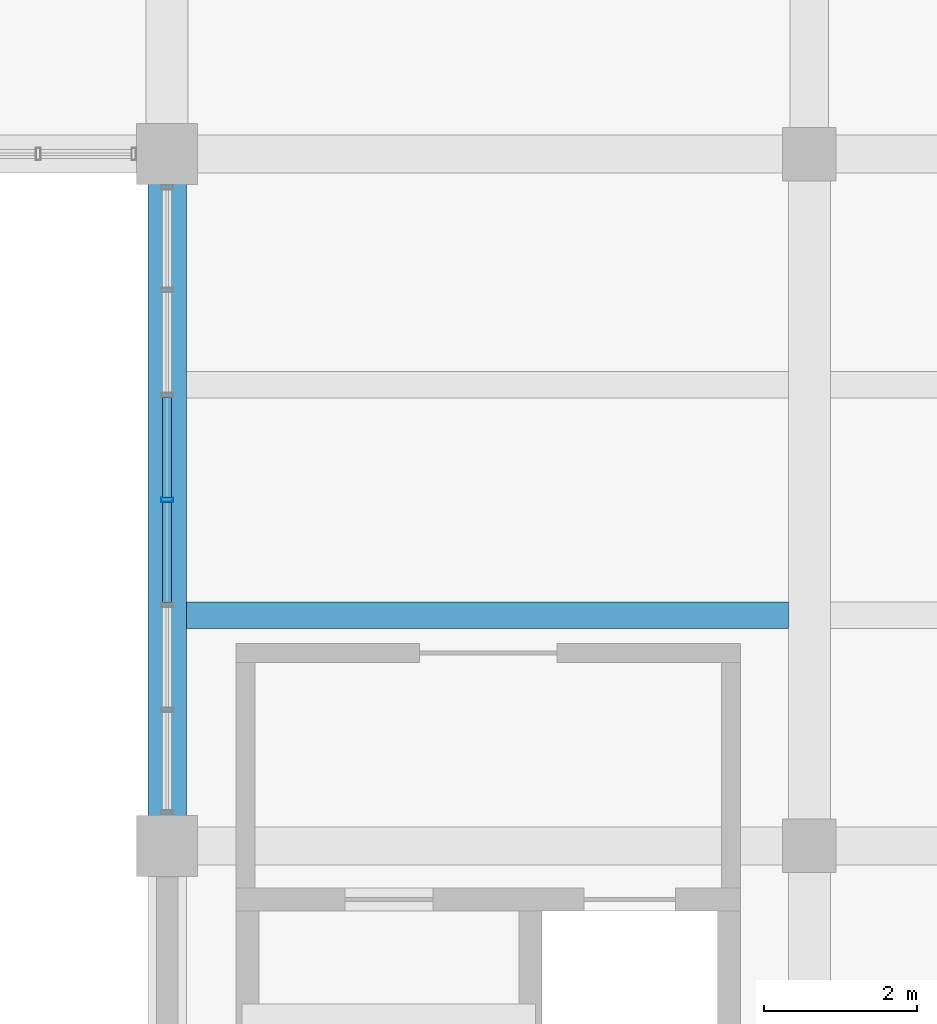
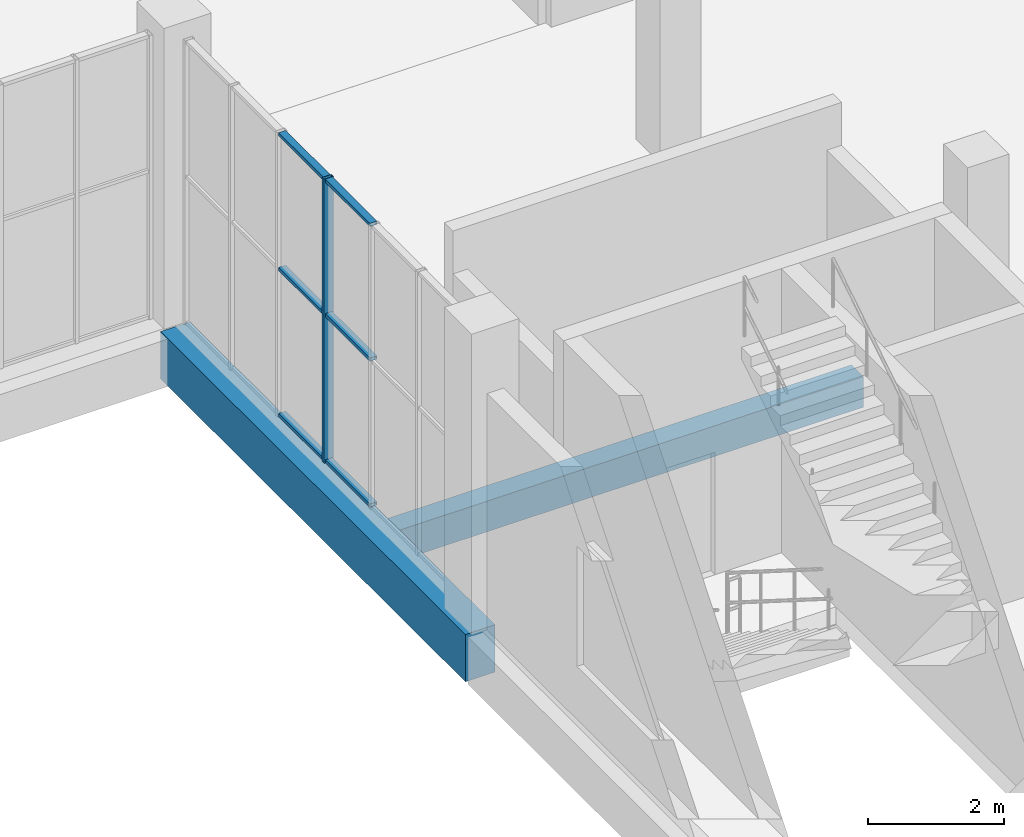
# One storey, part 4 of 132: 7 members, 2 beams, 1 element without a shape of its own.
"""IFC4 building model written with IfcOpenShell, lengths in metres."""

from ifc_helpers import new_model, si_unit, direction, frame, origin, origin_2d, place, context, subcontext, project, spatial, rectangle, hollow_rectangle, extrude, material, material_profile, profile_set, type_object, element, aggregate, save


model = new_model("IFC4")

# Units and contexts
model_context = context("Model", 3, precision=1e-05, world=origin(), true_north=direction((0.0, 1.0)))
body_context = subcontext(model_context, "Body", "Model", "MODEL_VIEW")
ifc_project = project(units=[si_unit("LENGTHUNIT", "METRE"), si_unit("AREAUNIT", "SQUARE_METRE"), si_unit("VOLUMEUNIT", "CUBIC_METRE"), si_unit("PLANEANGLEUNIT", "RADIAN"), si_unit("MASSUNIT", "GRAM", prefix="KILO")], contexts=[model_context])

# Site, building, storey
site_placement = place(None, origin())
site = spatial("IfcSite", under=ifc_project, at=site_placement, CompositionType="ELEMENT")
building_placement = place(site_placement, origin())
building = spatial("IfcBuilding", under=site, at=building_placement, Name="Khurvash Pelagic Aquarium", CompositionType="ELEMENT")
storey_placement = place(building_placement, frame((0.0, 0.0, 5.39990234375)))
storey = spatial("IfcBuildingStorey", under=building, at=storey_placement, Name="L01", CompositionType="ELEMENT", Elevation=5.39990234375)

# Curtain wall, members
ifc_material_1 = material(Name="Anodised aluminium and low-E laminated glass", Category="aluminium")
curtain_wall_type = type_object("IfcCurtainWallType", Name="CW-06", PredefinedType="USERDEFINED", material=ifc_material_1)
curtain_wall_placement = place(storey_placement, origin())
curtain_wall = element("IfcCurtainWall", 1, at=curtain_wall_placement, inside=storey, type_object=curtain_wall_type, Name="L01 Facade Unitised Curtain Wall CW-06 0100", ObjectType="UNITISED CURTAIN WALL", PredefinedType="USERDEFINED")
ifc_material_2 = material(Name="Extruded aluminium AW-6063-T6", Category="aluminium")
ifc_material_profile_1 = material_profile(ifc_material_2, hollow_rectangle(XDim=0.06005859375, YDim=0.159912109375, WallThickness=0.00390625, at=origin_2d()), Name="CWM60X160X4")
ifc_profile_set_1 = profile_set([ifc_material_profile_1], Name="Extruded aluminium AW-6063-T6")
member_type_1 = type_object("IfcMemberType", Name="CM-02", PredefinedType="MULLION", material=ifc_profile_set_1)
member_1_placement = place(storey_placement, frame((25.199951171875, 25.22509765625, 0.0), z_axis=(0.0, 0.0, 1.0), x_axis=(0.0, -1.0, 0.0)))
member_1 = element("IfcMember", 2, at=member_1_placement, type_object=member_type_1, Name="CW-06 mullion 4", PredefinedType="MULLION", context=body_context, shape_type="SweptSolid", body=[
    extrude(hollow_rectangle(XDim=0.06005859375, YDim=0.159912109375, WallThickness=0.00390625, at=origin_2d()), origin(), (0.0, 0.0, 1.0), 5.10009765625),
])
ifc_material_profile_2 = material_profile(ifc_material_2, hollow_rectangle(XDim=0.1201171875, YDim=0.06005859375, WallThickness=0.00390625, at=origin_2d()), Name="CWT120X60X4")
ifc_profile_set_2 = profile_set([ifc_material_profile_2], Name="Extruded aluminium AW-6063-T6")
member_type_2 = type_object("IfcMemberType", Name="CT-02", PredefinedType="USERDEFINED", material=ifc_profile_set_2)
member_2_placement = place(storey_placement, frame((25.199951171875, 26.568359375, 0.030029296875), z_axis=(0.0, -1.0, 0.0), x_axis=(1.0, 0.0, 0.0)))
member_2 = element("IfcMember", 3, at=member_2_placement, type_object=member_type_2, Name="CW-06 transom 3.1", ObjectType="TRANSOM", PredefinedType="USERDEFINED", context=body_context, shape_type="SweptSolid", body=[
    extrude(hollow_rectangle(XDim=0.1201171875, YDim=0.06005859375, WallThickness=0.00390625, at=origin_2d()), origin(), (0.0, 0.0, 1.0), 1.3134765625),
])
member_3_placement = place(storey_placement, frame((25.199951171875, 26.568359375, 2.652099609375), z_axis=(0.0, -1.0, 0.0), x_axis=(1.0, 0.0, 0.0)))
member_3 = element("IfcMember", 4, at=member_3_placement, type_object=member_type_2, Name="CW-06 transom 3.2", ObjectType="TRANSOM", PredefinedType="USERDEFINED", context=body_context, shape_type="SweptSolid", body=[
    extrude(hollow_rectangle(XDim=0.1201171875, YDim=0.06005859375, WallThickness=0.00390625, at=origin_2d()), origin(), (0.0, 0.0, 1.0), 1.3134765625),
])
member_4_placement = place(storey_placement, frame((25.199951171875, 26.568359375, 5.070068359375), z_axis=(0.0, -1.0, 0.0), x_axis=(1.0, 0.0, 0.0)))
member_4 = element("IfcMember", 5, at=member_4_placement, type_object=member_type_2, Name="CW-06 transom 3.3", ObjectType="TRANSOM", PredefinedType="USERDEFINED", context=body_context, shape_type="SweptSolid", body=[
    extrude(hollow_rectangle(XDim=0.1201171875, YDim=0.06005859375, WallThickness=0.00390625, at=origin_2d()), origin(), (0.0, 0.0, 1.0), 1.3134765625),
])
member_5_placement = place(storey_placement, frame((25.199951171875, 25.195068359375, 0.030029296875), z_axis=(0.0, -1.0, 0.0), x_axis=(1.0, 0.0, 0.0)))
member_5 = element("IfcMember", 6, at=member_5_placement, type_object=member_type_2, Name="CW-06 transom 4.1", ObjectType="TRANSOM", PredefinedType="USERDEFINED", context=body_context, shape_type="SweptSolid", body=[
    extrude(hollow_rectangle(XDim=0.1201171875, YDim=0.06005859375, WallThickness=0.00390625, at=origin_2d()), origin(), (0.0, 0.0, 1.0), 1.3134765625),
])
member_6_placement = place(storey_placement, frame((25.199951171875, 25.195068359375, 2.652099609375), z_axis=(0.0, -1.0, 0.0), x_axis=(1.0, 0.0, 0.0)))
member_6 = element("IfcMember", 7, at=member_6_placement, type_object=member_type_2, Name="CW-06 transom 4.2", ObjectType="TRANSOM", PredefinedType="USERDEFINED", context=body_context, shape_type="SweptSolid", body=[
    extrude(hollow_rectangle(XDim=0.1201171875, YDim=0.06005859375, WallThickness=0.00390625, at=origin_2d()), origin(), (0.0, 0.0, 1.0), 1.3134765625),
])
member_7_placement = place(storey_placement, frame((25.199951171875, 25.195068359375, 5.070068359375), z_axis=(0.0, -1.0, 0.0), x_axis=(1.0, 0.0, 0.0)))
member_7 = element("IfcMember", 8, at=member_7_placement, type_object=member_type_2, Name="CW-06 transom 4.3", ObjectType="TRANSOM", PredefinedType="USERDEFINED", context=body_context, shape_type="SweptSolid", body=[
    extrude(hollow_rectangle(XDim=0.1201171875, YDim=0.06005859375, WallThickness=0.00390625, at=origin_2d()), origin(), (0.0, 0.0, 1.0), 1.3134765625),
])
aggregate(curtain_wall, [member_1, member_2, member_3, member_4, member_5, member_6, member_7])

# Beams
ifc_material_3 = material(Name="Concrete C35/45", Category="concrete")
ifc_material_profile_3 = material_profile(ifc_material_3, rectangle(XDim=0.35009765625, YDim=0.550048828125, at=origin_2d()), Name="RC350X550")
ifc_profile_set_3 = profile_set([ifc_material_profile_3], Name="Concrete C35/45")
beam_type_1 = type_object("IfcBeamType", Name="JS-01", PredefinedType="JOIST", material=ifc_profile_set_3)
beam_1_placement = place(storey_placement, frame((25.449951171875, 23.717041015625, -0.5849609375), z_axis=(1.0, 0.0, 0.0), x_axis=(0.0, 1.0, 0.0)))
element("IfcBeam", 9, at=beam_1_placement, inside=storey, type_object=beam_type_1, Name="L01 Floor Joist JS-01 00460", PredefinedType="JOIST", context=body_context, shape_type="SweptSolid", body=[
    extrude(rectangle(XDim=0.35009765625, YDim=0.550048828125, at=origin_2d()), origin(), (0.0, 0.0, 1.0), 7.875),
])
ifc_material_4 = material(Name="Concrete C40/50", Category="concrete")
ifc_material_profile_4 = material_profile(ifc_material_4, rectangle(XDim=0.5, YDim=0.85009765625, at=origin_2d()), Name="RC500X850")
ifc_profile_set_4 = profile_set([ifc_material_profile_4], Name="Concrete C40/50")
beam_type_2 = type_object("IfcBeamType", Name="SEB-03", PredefinedType="SPANDREL", material=ifc_profile_set_4)
beam_2_placement = place(storey_placement, frame((25.199951171875, 20.739990234375, -0.73486328125), z_axis=(0.0, 1.0, 0.0), x_axis=(-1.0, 0.0, 0.0)))
element("IfcBeam", 10, at=beam_2_placement, inside=storey, type_object=beam_type_2, Name="L01 Primary Girder SEB-03 00361", PredefinedType="SPANDREL", context=body_context, shape_type="SweptSolid", body=[
    extrude(rectangle(XDim=0.5, YDim=0.85009765625, at=origin_2d()), origin(), (0.0, 0.0, 1.0), 8.969970703125),
])

save(model, "model.ifc")
